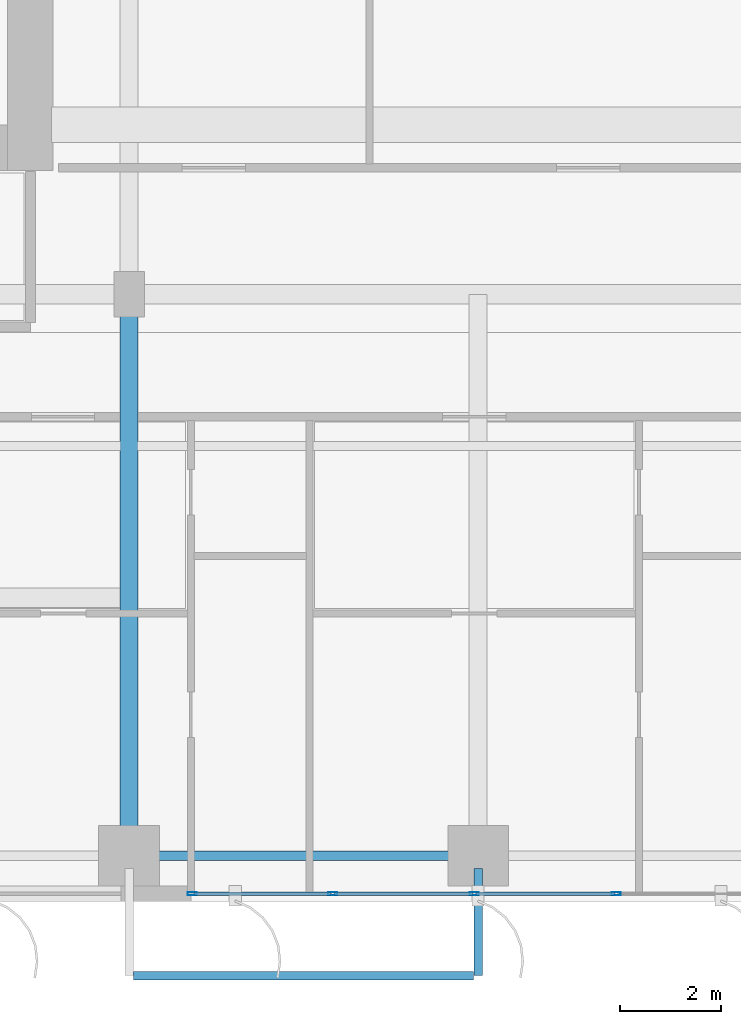
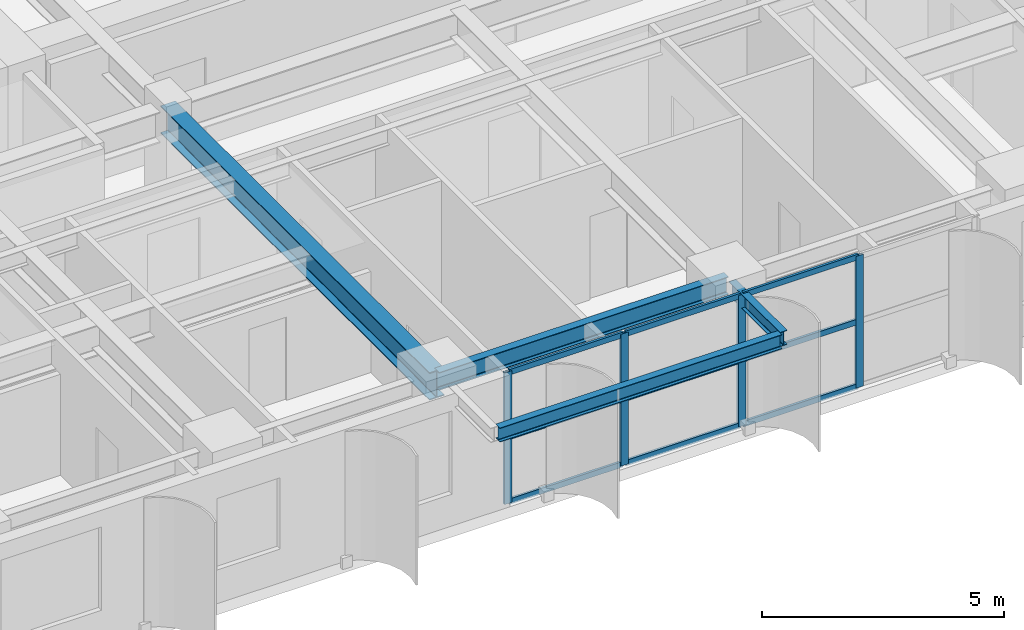
# One storey, part 2 of 26: 13 members, 4 beams, 1 element without a shape of its own.
"""IFC4 building model written with IfcOpenShell, lengths in metres."""

from ifc_helpers import new_model, si_unit, direction, frame, origin, origin_2d, place, context, subcontext, project, spatial, hollow_rectangle, i_section, extrude, source, transform, mapped, material, layer, layer_set, material_profile, profile_set, type_object, element, aggregate, save


model = new_model("IFC4")

# Units and contexts
model_context = context("Model", 3, precision=1e-05, world=origin(), true_north=direction((0.0, 1.0)))
body_context = subcontext(model_context, "Body", "Model", "MODEL_VIEW")
ifc_project = project(units=[si_unit("LENGTHUNIT", "METRE"), si_unit("AREAUNIT", "SQUARE_METRE"), si_unit("VOLUMEUNIT", "CUBIC_METRE"), si_unit("PLANEANGLEUNIT", "RADIAN"), si_unit("MASSUNIT", "GRAM", prefix="KILO")], contexts=[model_context])

# Site, building, storey
site_placement = place(None, origin())
site = spatial("IfcSite", under=ifc_project, at=site_placement, CompositionType="ELEMENT")
building_placement = place(site_placement, origin())
building = spatial("IfcBuilding", under=site, at=building_placement, Name="Khoralis Quay Care Tower", CompositionType="ELEMENT")
storey_placement = place(building_placement, frame((0.0, 0.0, 26.10009765625)))
storey = spatial("IfcBuildingStorey", under=building, at=storey_placement, Name="L06", CompositionType="ELEMENT", Elevation=26.10009765625)

# Beams
ifc_material_1 = material(Name="Steel S355", Category="steel")
ifc_material_profile_1 = material_profile(ifc_material_1, i_section(OverallWidth=0.18994140625, OverallDepth=0.449951171875, WebThickness=0.009521484375, FlangeThickness=0.0146484375, FilletRadius=0.02099609375, at=origin_2d()), Name="Steel S355")
ifc_profile_set_1 = profile_set([ifc_material_profile_1], Name="Steel S355")
beam_type_1 = type_object("IfcBeamType", Name="BM-IPE450", PredefinedType="SPANDREL", material=ifc_profile_set_1)
shared_shape_1 = source(origin(), body_context, "Body", "SweptSolid", [
    extrude(i_section(OverallWidth=0.18994140625, OverallDepth=0.449951171875, WebThickness=0.009521484375, FlangeThickness=0.0146484375, FilletRadius=0.02099609375, at=origin_2d()), origin(), (0.0, 0.0, 1.0), 6.89990234375),
])
beam_1_placement = place(storey_placement, frame((17.10009765625, 0.89990234375, 3.094970703125), z_axis=(1.0, 0.0, 0.0), x_axis=(0.0, 1.0, 0.0)))
element("IfcBeam", 1, at=beam_1_placement, inside=storey, type_object=beam_type_1, Name="BM-TSP-L06-03", PredefinedType="SPANDREL", context=body_context, shape_type="MappedRepresentation", body=[
    mapped(shared_shape_1, transform((0.0, 0.0, 0.0), scale=1.0)),
])
ifc_material_profile_2 = material_profile(ifc_material_1, i_section(OverallWidth=0.35498046875, OverallDepth=0.695068359375, WebThickness=0.015380859375, FlangeThickness=0.02490234375, FilletRadius=0.02001953125, at=origin_2d()), Name="Steel S355")
ifc_profile_set_2 = profile_set([ifc_material_profile_2], Name="Steel S355")
beam_type_2 = type_object("IfcBeamType", Name="BM-W690X217", PredefinedType="BEAM", material=ifc_profile_set_2)
shared_shape_2 = source(origin(), body_context, "Body", "SweptSolid", [
    extrude(i_section(OverallWidth=0.35498046875, OverallDepth=0.695068359375, WebThickness=0.015380859375, FlangeThickness=0.02490234375, FilletRadius=0.02001953125, at=origin_2d()), origin(), (0.0, 0.0, 1.0), 11.10009765625),
])
beam_2_placement = place(storey_placement, frame((17.10009765625, 0.89990234375, 2.972412109375), z_axis=(0.0, 1.0, 0.0), x_axis=(-1.0, 0.0, 0.0)))
element("IfcBeam", 2, at=beam_2_placement, inside=storey, type_object=beam_type_2, Name="BM-TGYS-L06-171", PredefinedType="BEAM", context=body_context, shape_type="MappedRepresentation", body=[
    mapped(shared_shape_2, transform((0.0, 0.0, 0.0), scale=1.0)),
])

# Curtain wall, members
ifc_material_2 = material(Name="Pale anodised aluminium", Category="aluminium")
ifc_layer = layer(ifc_material_2, 0.179931640625)
ifc_layer_set = layer_set([ifc_layer], Name="Pale anodised aluminium")
curtain_wall_type = type_object("IfcCurtainWallType", Name="CW-SYS-Z1", PredefinedType="NOTDEFINED", material=ifc_layer_set)
curtain_wall_placement = place(storey_placement, origin())
curtain_wall = element("IfcCurtainWall", 3, at=curtain_wall_placement, inside=storey, type_object=curtain_wall_type, Name="L06 Unitised Curtain Wall CW-L06-P1-E0", PredefinedType="NOTDEFINED")
ifc_material_profile_3 = material_profile(ifc_material_2, hollow_rectangle(XDim=0.06494140625, YDim=0.179931640625, WallThickness=0.00390625, at=origin_2d()), Name="Pale anodised aluminium")
ifc_profile_set_3 = profile_set([ifc_material_profile_3], Name="Pale anodised aluminium")
member_type_1 = type_object("IfcMemberType", Name="CW-MUL-180", PredefinedType="MULLION", material=ifc_profile_set_3)
shared_shape_3 = source(origin(), body_context, "Body", "SweptSolid", [
    extrude(hollow_rectangle(XDim=0.06494140625, YDim=0.179931640625, WallThickness=0.00390625, at=origin_2d()), origin(), (0.0, 0.0, 1.0), 3.31982421875),
])
member_1_placement = place(storey_placement, frame((18.35009765625, 0.14990234375, 0.0), z_axis=(0.0, 0.0, 1.0), x_axis=(0.0, 1.0, 0.0)))
member_1 = element("IfcMember", 4, at=member_1_placement, type_object=member_type_1, Name="CW1 mullion 1", PredefinedType="MULLION", context=body_context, shape_type="MappedRepresentation", body=[
    mapped(shared_shape_3, transform((0.0, 0.0, 0.0), scale=1.0)),
])
member_2_placement = place(storey_placement, frame((21.12255859375, 0.14990234375, 0.0), z_axis=(0.0, 0.0, 1.0), x_axis=(0.0, 1.0, 0.0)))
member_2 = element("IfcMember", 5, at=member_2_placement, type_object=member_type_1, Name="CW1 mullion 2", PredefinedType="MULLION", context=body_context, shape_type="MappedRepresentation", body=[
    mapped(shared_shape_3, transform((0.0, 0.0, 0.0), scale=1.0)),
])
member_3_placement = place(storey_placement, frame((23.925048828125, 0.14990234375, 0.0), z_axis=(0.0, 0.0, 1.0), x_axis=(0.0, 1.0, 0.0)))
member_3 = element("IfcMember", 6, at=member_3_placement, type_object=member_type_1, Name="CW1 mullion 3", PredefinedType="MULLION", context=body_context, shape_type="MappedRepresentation", body=[
    mapped(shared_shape_3, transform((0.0, 0.0, 0.0), scale=1.0)),
])
member_4_placement = place(storey_placement, frame((26.7275390625, 0.14990234375, 0.0), z_axis=(0.0, 0.0, 1.0), x_axis=(0.0, 1.0, 0.0)))
member_4 = element("IfcMember", 7, at=member_4_placement, type_object=member_type_1, Name="CW1 mullion 4", PredefinedType="MULLION", context=body_context, shape_type="MappedRepresentation", body=[
    mapped(shared_shape_3, transform((0.0, 0.0, 0.0), scale=1.0)),
])
ifc_material_profile_4 = material_profile(ifc_material_2, hollow_rectangle(XDim=0.06005859375, YDim=0.139892578125, WallThickness=0.00390625, at=origin_2d()), Name="Pale anodised aluminium")
ifc_profile_set_4 = profile_set([ifc_material_profile_4], Name="Pale anodised aluminium")
member_type_2 = type_object("IfcMemberType", Name="CW-TRN-140", PredefinedType="USERDEFINED", material=ifc_profile_set_4)
shared_shape_4 = source(origin(), body_context, "Body", "SweptSolid", [
    extrude(hollow_rectangle(XDim=0.06005859375, YDim=0.139892578125, WallThickness=0.00390625, at=origin_2d()), origin(), (0.0, 0.0, 1.0), 2.712646484375),
])
member_5_placement = place(storey_placement, frame((18.3798828125, 0.14990234375, 0.02978515625), z_axis=(1.0, 0.0, 0.0), x_axis=(0.0, 1.0, 0.0)))
member_5 = element("IfcMember", 8, at=member_5_placement, type_object=member_type_2, Name="CW1 transom 1.1", ObjectType="TRANSOM", PredefinedType="USERDEFINED", context=body_context, shape_type="MappedRepresentation", body=[
    mapped(shared_shape_4, transform((0.0, 0.0, 0.0), scale=1.0)),
])
member_6_placement = place(storey_placement, frame((18.3798828125, 0.14990234375, 1.659912109375), z_axis=(1.0, 0.0, 0.0), x_axis=(0.0, 1.0, 0.0)))
member_6 = element("IfcMember", 9, at=member_6_placement, type_object=member_type_2, Name="CW1 transom 1.2", ObjectType="TRANSOM", PredefinedType="USERDEFINED", context=body_context, shape_type="MappedRepresentation", body=[
    mapped(shared_shape_4, transform((0.0, 0.0, 0.0), scale=1.0)),
])
member_7_placement = place(storey_placement, frame((18.3798828125, 0.14990234375, 3.289794921875), z_axis=(1.0, 0.0, 0.0), x_axis=(0.0, 1.0, 0.0)))
member_7 = element("IfcMember", 10, at=member_7_placement, type_object=member_type_2, Name="CW1 transom 1.3", ObjectType="TRANSOM", PredefinedType="USERDEFINED", context=body_context, shape_type="MappedRepresentation", body=[
    mapped(shared_shape_4, transform((0.0, 0.0, 0.0), scale=1.0)),
])
shared_shape_5 = source(origin(), body_context, "Body", "SweptSolid", [
    extrude(hollow_rectangle(XDim=0.06005859375, YDim=0.139892578125, WallThickness=0.00390625, at=origin_2d()), origin(), (0.0, 0.0, 1.0), 2.742431640625),
])
member_8_placement = place(storey_placement, frame((21.152587890625, 0.14990234375, 0.02978515625), z_axis=(1.0, 0.0, 0.0), x_axis=(0.0, 1.0, 0.0)))
member_8 = element("IfcMember", 11, at=member_8_placement, type_object=member_type_2, Name="CW1 transom 2.1", ObjectType="TRANSOM", PredefinedType="USERDEFINED", context=body_context, shape_type="MappedRepresentation", body=[
    mapped(shared_shape_5, transform((0.0, 0.0, 0.0), scale=1.0)),
])
member_9_placement = place(storey_placement, frame((21.152587890625, 0.14990234375, 1.659912109375), z_axis=(1.0, 0.0, 0.0), x_axis=(0.0, 1.0, 0.0)))
member_9 = element("IfcMember", 12, at=member_9_placement, type_object=member_type_2, Name="CW1 transom 2.2", ObjectType="TRANSOM", PredefinedType="USERDEFINED", context=body_context, shape_type="MappedRepresentation", body=[
    mapped(shared_shape_5, transform((0.0, 0.0, 0.0), scale=1.0)),
])
member_10_placement = place(storey_placement, frame((21.152587890625, 0.14990234375, 3.289794921875), z_axis=(1.0, 0.0, 0.0), x_axis=(0.0, 1.0, 0.0)))
member_10 = element("IfcMember", 13, at=member_10_placement, type_object=member_type_2, Name="CW1 transom 2.3", ObjectType="TRANSOM", PredefinedType="USERDEFINED", context=body_context, shape_type="MappedRepresentation", body=[
    mapped(shared_shape_5, transform((0.0, 0.0, 0.0), scale=1.0)),
])
member_11_placement = place(storey_placement, frame((23.955078125, 0.14990234375, 0.02978515625), z_axis=(1.0, 0.0, 0.0), x_axis=(0.0, 1.0, 0.0)))
member_11 = element("IfcMember", 14, at=member_11_placement, type_object=member_type_2, Name="CW1 transom 3.1", ObjectType="TRANSOM", PredefinedType="USERDEFINED", context=body_context, shape_type="MappedRepresentation", body=[
    mapped(shared_shape_5, transform((0.0, 0.0, 0.0), scale=1.0)),
])
member_12_placement = place(storey_placement, frame((23.955078125, 0.14990234375, 1.659912109375), z_axis=(1.0, 0.0, 0.0), x_axis=(0.0, 1.0, 0.0)))
member_12 = element("IfcMember", 15, at=member_12_placement, type_object=member_type_2, Name="CW1 transom 3.2", ObjectType="TRANSOM", PredefinedType="USERDEFINED", context=body_context, shape_type="MappedRepresentation", body=[
    mapped(shared_shape_5, transform((0.0, 0.0, 0.0), scale=1.0)),
])
member_13_placement = place(storey_placement, frame((23.955078125, 0.14990234375, 3.289794921875), z_axis=(1.0, 0.0, 0.0), x_axis=(0.0, 1.0, 0.0)))
member_13 = element("IfcMember", 16, at=member_13_placement, type_object=member_type_2, Name="CW1 transom 3.3", ObjectType="TRANSOM", PredefinedType="USERDEFINED", context=body_context, shape_type="MappedRepresentation", body=[
    mapped(shared_shape_5, transform((0.0, 0.0, 0.0), scale=1.0)),
])
aggregate(curtain_wall, [member_1, member_2, member_3, member_4, member_5, member_6, member_7, member_8, member_9, member_10, member_11, member_12, member_13])

# Beams
ifc_material_profile_5 = material_profile(ifc_material_1, i_section(OverallWidth=0.169921875, OverallDepth=0.360107421875, WebThickness=0.008056640625, FlangeThickness=0.0126953125, FilletRadius=0.01806640625, at=origin_2d()), Name="Steel S355")
ifc_profile_set_5 = profile_set([ifc_material_profile_5], Name="Steel S355")
beam_type_3 = type_object("IfcBeamType", Name="BM-IPE360", PredefinedType="SPANDREL", material=ifc_profile_set_5)
shared_shape_6 = source(origin(), body_context, "Body", "SweptSolid", [
    extrude(i_section(OverallWidth=0.169921875, OverallDepth=0.360107421875, WebThickness=0.008056640625, FlangeThickness=0.0126953125, FilletRadius=0.01806640625, at=origin_2d()), origin(), (0.0, 0.0, 1.0), 2.119873046875),
])
beam_3_placement = place(storey_placement, frame((24.0, 0.64990234375, 3.143798828125), z_axis=(0.0, -1.0, 0.0), x_axis=(1.0, 0.0, 0.0)))
element("IfcBeam", 17, at=beam_3_placement, inside=storey, type_object=beam_type_3, Name="L07 Balcony Cantilever Outrigger Beam 2", PredefinedType="SPANDREL", context=body_context, shape_type="MappedRepresentation", body=[
    mapped(shared_shape_6, transform((0.0, 0.0, 0.0), scale=1.0)),
])
shared_shape_7 = source(origin(), body_context, "Body", "SweptSolid", [
    extrude(i_section(OverallWidth=0.169921875, OverallDepth=0.360107421875, WebThickness=0.008056640625, FlangeThickness=0.0126953125, FilletRadius=0.01806640625, at=origin_2d()), origin(), (0.0, 0.0, 1.0), 6.72412109375),
])
beam_4_placement = place(storey_placement, frame((17.18798828125, -1.469970703125, 3.143798828125), z_axis=(1.0, 0.0, 0.0), x_axis=(0.0, 1.0, 0.0)))
element("IfcBeam", 18, at=beam_4_placement, inside=storey, type_object=beam_type_3, Name="L07 Balcony Edge Spandrel Beam P1E0", PredefinedType="SPANDREL", context=body_context, shape_type="MappedRepresentation", body=[
    mapped(shared_shape_7, transform((0.0, 0.0, 0.0), scale=1.0)),
])

save(model, "model.ifc")
